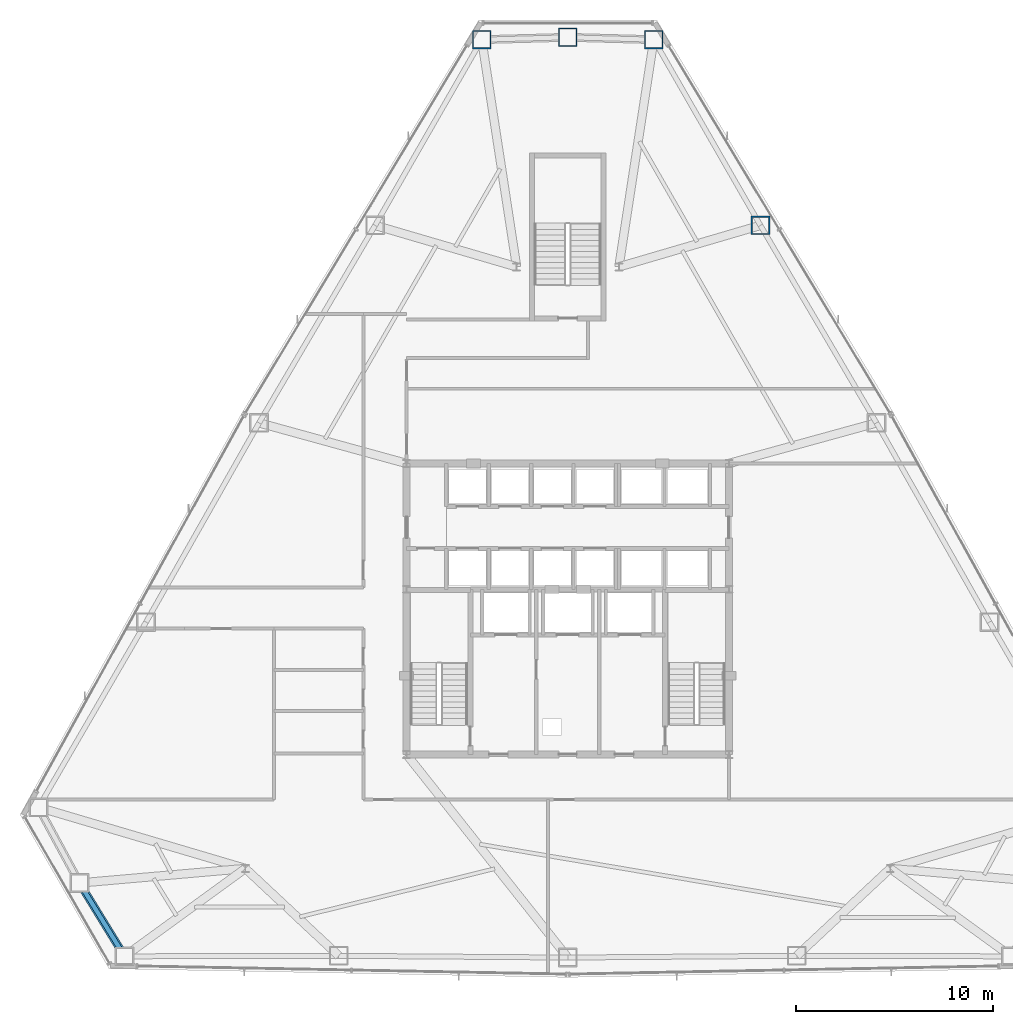
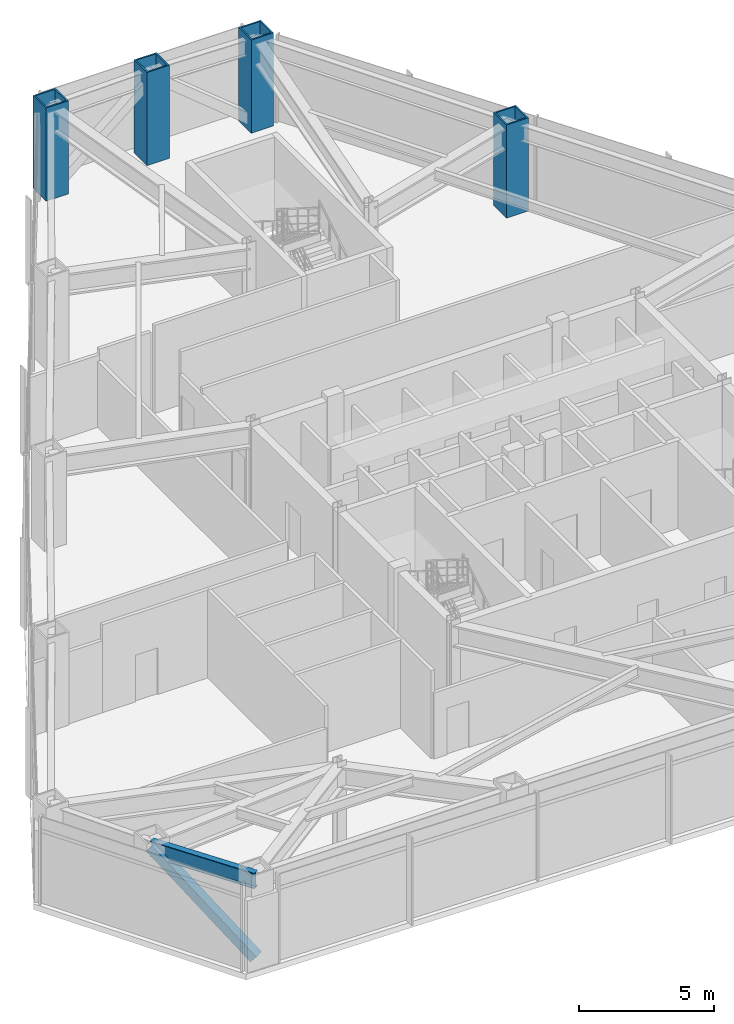
# One storey, part 3 of 13: 4 columns, 1 beam, 1 member.
"""IFC4 building model written with IfcOpenShell, lengths in metres."""

from ifc_helpers import new_model, si_unit, direction, frame, origin, origin_2d, place, context, subcontext, project, spatial, hollow_rectangle, i_section, extrude, source, transform, mapped, material, material_profile, profile_set, type_object, type_shapes, element, save


model = new_model("IFC4")

# Units and contexts
model_context = context("Model", 3, precision=1e-05, world=origin(), true_north=direction((0.0, 1.0)))
body_context = subcontext(model_context, "Body", "Model", "MODEL_VIEW")
ifc_project = project(units=[si_unit("LENGTHUNIT", "METRE"), si_unit("AREAUNIT", "SQUARE_METRE"), si_unit("VOLUMEUNIT", "CUBIC_METRE"), si_unit("PLANEANGLEUNIT", "RADIAN"), si_unit("MASSUNIT", "GRAM", prefix="KILO")], contexts=[model_context])

# Site, building, storey
site_placement = place(None, origin())
site = spatial("IfcSite", under=ifc_project, at=site_placement, CompositionType="ELEMENT")
building_placement = place(site_placement, origin())
building = spatial("IfcBuilding", under=site, at=building_placement, Name="Varakhsha Concourse Tower", CompositionType="ELEMENT")
storey_placement = place(building_placement, frame((0.0, 0.0, 111.800048828125)))
storey = spatial("IfcBuildingStorey", under=building, at=storey_placement, Name="L32", CompositionType="ELEMENT", Elevation=111.800048828125)

# Columns
ifc_material_1 = material(Name="Structural Steel ASTM A572 Grade 50", Category="steel")
ifc_material_profile_1 = material_profile(ifc_material_1, hollow_rectangle(XDim=0.949951171875, YDim=0.949951171875, WallThickness=0.06494140625, at=origin_2d()), Name="BOX 950x950x65")
ifc_profile_set_1 = profile_set([ifc_material_profile_1], Name="Structural Steel ASTM A572 Grade 50")
column_type = type_object("IfcColumnType", Name="CL-TUBE-950", PredefinedType="COLUMN", material=ifc_profile_set_1)
for number, where, z_axis, x_axis, name in (
    (1, (44.375244140625, 52.756103515625, 0.0), (0.0, 0.0, 1.0), (1.0, 0.0, 0.0), "L32 Framed-Tube Column TC01"),
    (2, (40.0, 52.876220703125, 0.0), (0.0, 0.0, 1.0), (1.0, 0.0, 0.0), "L32 Framed-Tube Column TC02"),
    (3, (35.624755859375, 52.756103515625, 0.0), (0.0, 0.0, 1.0), (1.0, 0.0, 0.0), "L32 Framed-Tube Column TC03"),
    (4, (49.799072265625, 43.30908203125, 0.0), (0.0, 0.0, 1.0), (1.0, 0.0, 0.0), "L32 Framed-Tube Column TC18"),
):
    element("IfcColumn", number, at=place(storey_placement, frame(where, z_axis=z_axis, x_axis=x_axis)), inside=storey, type_object=column_type, Name=name, PredefinedType="COLUMN", context=body_context, shape_type="SweptSolid", body=[
        extrude(hollow_rectangle(XDim=0.949951171875, YDim=0.949951171875, WallThickness=0.06494140625, at=origin_2d()), origin(), (0.0, 0.0, 1.0), 4.199951171875),
    ])

# Beam
ifc_material_2 = material(Name="Structural Steel ASTM A992 Grade 50", Category="steel")
ifc_material_profile_2 = material_profile(ifc_material_2, i_section(OverallWidth=0.25390625, OverallDepth=0.701904296875, WebThickness=0.014892578125, FlangeThickness=0.028076171875, at=origin_2d()), Name="W27X129")
ifc_profile_set_2 = profile_set([ifc_material_profile_2], Name="Structural Steel ASTM A992 Grade 50")
beam_type = type_object("IfcBeamType", Name="BM-SPAN-W27X129", PredefinedType="SPANDREL", material=ifc_profile_set_2)
beam_placement = place(storey_placement, frame((15.16552734375, 9.86181640625, 3.60888671875), z_axis=(0.523636767831, -0.851941626742, 0.0), x_axis=(0.851941626742, 0.523636767831, 0.0)))
element("IfcBeam", 5, at=beam_placement, inside=storey, type_object=beam_type, Name="BM-SPAN-L32-08", PredefinedType="SPANDREL", context=body_context, shape_type="SweptSolid", body=[
    extrude(i_section(OverallWidth=0.25390625, OverallDepth=0.701904296875, WebThickness=0.014892578125, FlangeThickness=0.028076171875, at=origin_2d()), origin(), (0.0, 0.0, 1.0), 4.376953125),
])

# Member
ifc_material_3 = material(Name="Structural Steel ASTM A500 Grade C", Category="steel")
ifc_material_profile_3 = material_profile(ifc_material_3, hollow_rectangle(XDim=0.39990234375, YDim=0.39990234375, WallThickness=0.01611328125, at=origin_2d()), Name="HSS 400x400x16")
ifc_profile_set_3 = profile_set([ifc_material_profile_3], Name="Structural Steel ASTM A500 Grade C")
member_type = type_object("IfcMemberType", Name="MB-TUBE-HSS400", PredefinedType="BRACE", material=ifc_profile_set_3)
shared_shape = source(origin(), body_context, "Body", "SweptSolid", [
    extrude(hollow_rectangle(XDim=0.39990234375, YDim=0.39990234375, WallThickness=0.01611328125, at=origin_2d()), origin(), (0.0, 0.0, 1.0), 5.62939453125),
])
type_shapes(member_type, [shared_shape])
member_placement = place(storey_placement, frame((17.45751953125, 6.1328125, 0.119873046875), z_axis=(-0.407144032899, 0.662411371805, 0.628844107056), x_axis=(-0.851941626742, -0.523636767831, 0.0)))
element("IfcMember", 6, at=member_placement, inside=storey, type_object=member_type, Name="L32 Wind-Corner Tube Brace B04", PredefinedType="BRACE", context=body_context, shape_type="MappedRepresentation", body=[
    mapped(shared_shape, transform((0.0, 0.0, 0.0), scale=1.0)),
])

save(model, "model.ifc")
